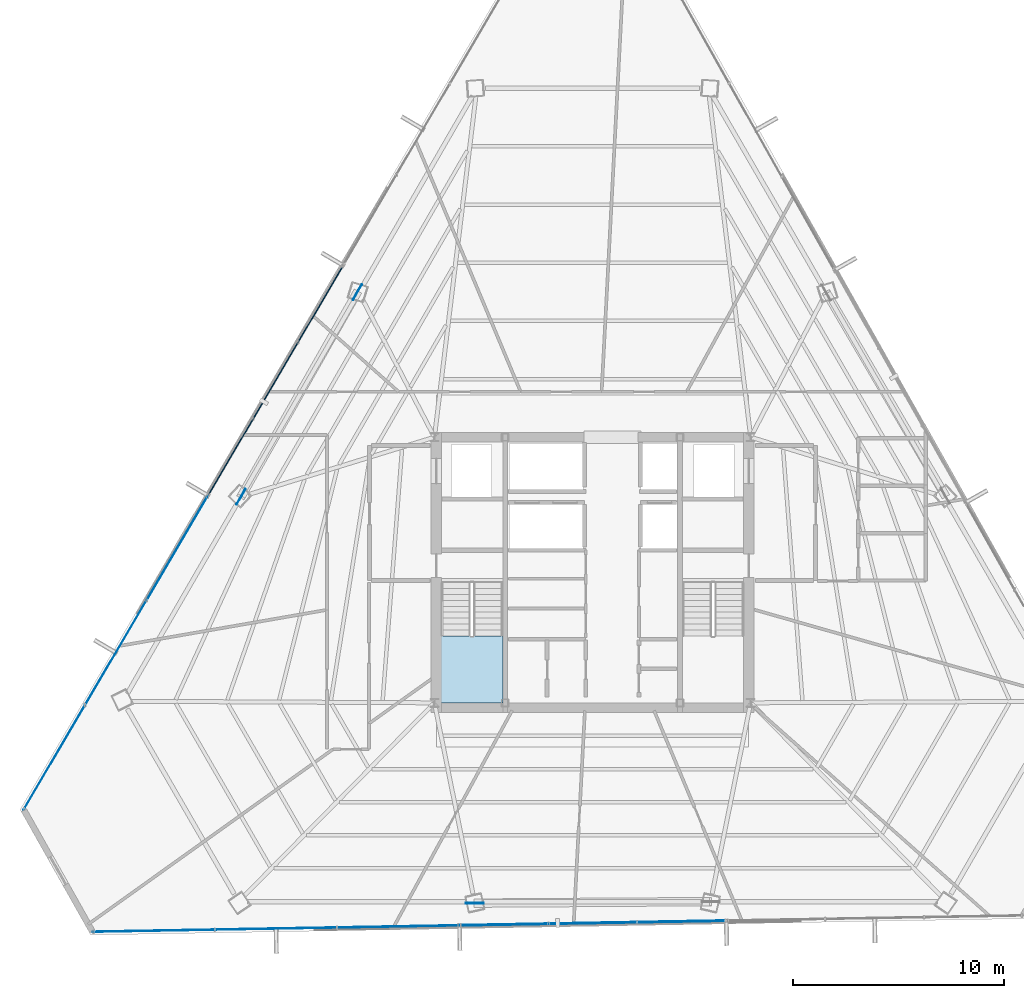
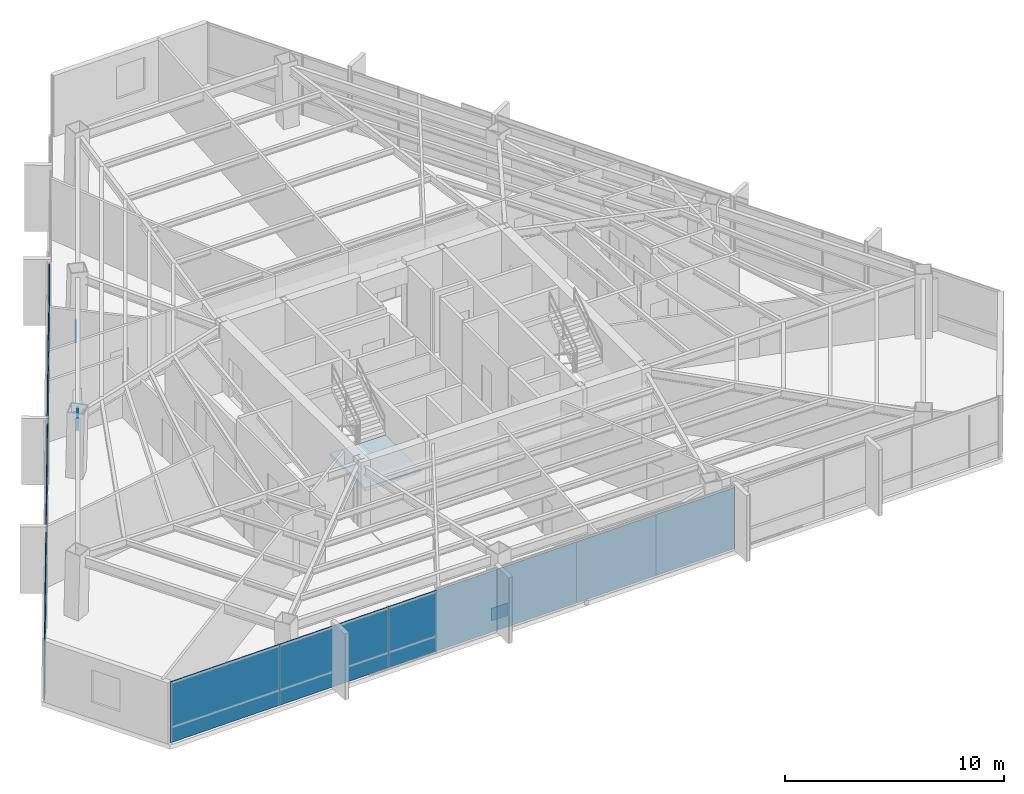
# One storey, part 33 of 42: 15 plates, 1 slab, 5 elements without a shape of their own.
"""IFC4 building model written with IfcOpenShell, lengths in metres."""

from ifc_helpers import new_model, si_unit, direction, frame, origin, origin_2d, place, context, subcontext, project, spatial, polyline, rectangle, outline, extrude, source, transform, mapped, material, layer, layer_set, type_object, type_shapes, element, aggregate, save


model = new_model("IFC4")

# Units and contexts
model_context = context("Model", 3, precision=1e-05, world=origin(), true_north=direction((0.0, 1.0)))
body_context = subcontext(model_context, "Body", "Model", "MODEL_VIEW")
ifc_project = project(units=[si_unit("LENGTHUNIT", "METRE"), si_unit("AREAUNIT", "SQUARE_METRE"), si_unit("VOLUMEUNIT", "CUBIC_METRE"), si_unit("PLANEANGLEUNIT", "RADIAN"), si_unit("MASSUNIT", "GRAM", prefix="KILO")], contexts=[model_context])

# Site, building, storey
site_placement = place(None, origin())
site = spatial("IfcSite", under=ifc_project, at=site_placement, CompositionType="ELEMENT")
building_placement = place(site_placement, origin())
building = spatial("IfcBuilding", under=site, at=building_placement, Name="Caelisora Broadcast Tower", CompositionType="ELEMENT")
storey_placement = place(building_placement, frame((0.0, 0.0, 184.050048828125)))
storey = spatial("IfcBuildingStorey", under=building, at=storey_placement, Name="L48", CompositionType="ELEMENT", Elevation=184.050048828125)

# Stair, slab
ifc_material_1 = material(Name="Concrete 40 MPa (AS 3600 N40)", Category="concrete")
stair_type = type_object("IfcStairType", Name="ST-1", PredefinedType="HALF_TURN_STAIR", material=ifc_material_1)
stair_placement = place(storey_placement, origin())
stair = element("IfcStair", 1, at=stair_placement, inside=storey, type_object=stair_type, Name="L48 West Fire-Isolated Tower Stair", PredefinedType="HALF_TURN_STAIR")
ifc_layer_1 = layer(ifc_material_1, 0.199951171875, Name="Concrete 40 MPa (AS 3600 N40)")
ifc_layer_set_1 = layer_set([ifc_layer_1], Name="Concrete 40 MPa (AS 3600 N40)")
slab_type = type_object("IfcSlabType", Name="STL-1", PredefinedType="LANDING", material=ifc_layer_set_1)
slab_placement = place(storey_placement, frame((0.0, 0.0, 1.625)))
slab = element("IfcSlab", 2, at=slab_placement, type_object=slab_type, Name="ST-1 landing 1", PredefinedType="LANDING", context=body_context, shape_type="SweptSolid", body=[
    extrude(outline(polyline([(30.820068359375, 20.580078125), (30.820068359375, 17.39990234375), (33.739990234375, 17.39990234375), (33.739990234375, 20.580078125), (30.820068359375, 20.580078125)])), origin(), (0.0, 0.0, 1.0), 0.199951171875),
])
aggregate(stair, [slab])

# Plates
ifc_material_2 = material(Name="Steel Grade 350 L15 (AS/NZS 3678)", Category="steel")
ifc_layer_2 = layer(ifc_material_2, 0.0400390625, Name="Steel Grade 350 L15 (AS/NZS 3678)")
ifc_layer_set_2 = layer_set([ifc_layer_2], Name="Steel Grade 350 L15 (AS/NZS 3678)")
plate_type_1 = type_object("IfcPlateType", Name="GP04", PredefinedType="USERDEFINED", material=ifc_layer_set_2)
shared_shape_1 = source(origin(), body_context, "Body", "SweptSolid", [
    extrude(rectangle(XDim=0.85009765625, YDim=0.0400390625, at=origin_2d()), origin(), (0.0, 0.0, 1.0), 0.699951171875),
])
type_shapes(plate_type_1, [shared_shape_1])
for number, where, z_axis, x_axis, name in (
    (3, (26.845947265625, 36.8828125, -0.22998046875), (0.0, 0.0, 1.0), (-0.5, -0.866025403784, 0.0), "L48 gusset plate GP04 (ND-L48-C02B)"),
    (4, (21.320556640625, 27.16796875, 2.72998046875), (0.0, 0.0, 1.0), (-0.5, -0.866025403784, 0.0), "L48 gusset plate GP04 (ND-L48-C03T)"),
    (5, (32.420166015625, 7.89892578125, -0.22998046875), (0.0, 0.0, 1.0), (1.0, 0.0, 0.0), "L48 gusset plate GP04 (ND-L48-C06B)"),
):
    element("IfcPlate", number, at=place(storey_placement, frame(where, z_axis=z_axis, x_axis=x_axis)), inside=storey, type_object=plate_type_1, Name=name, ObjectType="GUSSET PLATE", PredefinedType="USERDEFINED", context=body_context, shape_type="MappedRepresentation", body=[
        mapped(shared_shape_1, transform((0.0, 0.0, 0.0), scale=1.0)),
    ])

# Curtain wall, plates
ifc_material_3 = material(Name="Unitised Aluminium Insulated Shadow-Box Spandrel Curtain Wall", Category="aluminium")
curtain_wall_type_1 = type_object("IfcCurtainWallType", Name="CW-SP2", PredefinedType="NOTDEFINED", material=ifc_material_3)
curtain_wall_1_placement = place(storey_placement, origin())
curtain_wall_1 = element("IfcCurtainWall", 6, at=curtain_wall_1_placement, inside=storey, type_object=curtain_wall_type_1, Name="L48 curtain wall CW-SP2", PredefinedType="NOTDEFINED")
ifc_material_4 = material(Name="Insulated Terracotta Shadow-Box Spandrel Panel", Category="aluminium")
ifc_layer_3 = layer(ifc_material_4, 0.0439453125, Name="Insulated Terracotta Shadow-Box Spandrel Panel")
ifc_layer_set_3 = layer_set([ifc_layer_3], Name="Insulated Terracotta Shadow-Box Spandrel Panel")
plate_type_2 = type_object("IfcPlateType", Name="CWP-10", PredefinedType="CURTAIN_PANEL", material=ifc_layer_set_3)
shared_shape_2 = source(origin(), body_context, "Body", "SweptSolid", [
    extrude(rectangle(XDim=4.21630859375, YDim=0.0439453125, at=origin_2d()), origin(), (0.0, 0.0, 1.0), 3.39990234375),
])
plate_1_placement = place(storey_placement, frame((20.8330078125, 29.05322265625, 0.0), z_axis=(0.0, 0.0, 1.0), x_axis=(0.506334807353, 0.862336977557, 0.0)))
plate_1 = element("IfcPlate", 7, at=plate_1_placement, type_object=plate_type_2, Name="L48-CW-B10 spandrel panel #1", PredefinedType="CURTAIN_PANEL", context=body_context, shape_type="MappedRepresentation", body=[
    mapped(shared_shape_2, transform((0.0, 0.0, 0.0), scale=1.0)),
])
plate_2_placement = place(storey_placement, frame((22.968017578125, 32.689453125, 0.0), z_axis=(0.0, 0.0, 1.0), x_axis=(0.506334807353, 0.862336977557, 0.0)))
plate_2 = element("IfcPlate", 8, at=plate_2_placement, type_object=plate_type_2, Name="L48-CW-B10 spandrel panel #2", PredefinedType="CURTAIN_PANEL", context=body_context, shape_type="MappedRepresentation", body=[
    mapped(shared_shape_2, transform((0.0, 0.0, 0.0), scale=1.0)),
])
plate_3_placement = place(storey_placement, frame((25.102783203125, 36.325439453125, 0.0), z_axis=(0.0, 0.0, 1.0), x_axis=(0.506334807353, 0.862336977557, 0.0)))
plate_3 = element("IfcPlate", 9, at=plate_3_placement, type_object=plate_type_2, Name="L48-CW-B10 spandrel panel #3", PredefinedType="CURTAIN_PANEL", context=body_context, shape_type="MappedRepresentation", body=[
    mapped(shared_shape_2, transform((0.0, 0.0, 0.0), scale=1.0)),
])
aggregate(curtain_wall_1, [plate_1, plate_2, plate_3])

curtain_wall_2_placement = place(storey_placement, origin())
curtain_wall_2 = element("IfcCurtainWall", 10, at=curtain_wall_2_placement, inside=storey, type_object=curtain_wall_type_1, Name="L48 curtain wall CW-SP2", PredefinedType="NOTDEFINED")
shared_shape_3 = source(origin(), body_context, "Body", "SweptSolid", [
    extrude(rectangle(XDim=4.216064453125, YDim=0.0439453125, at=origin_2d()), origin(), (0.0, 0.0, 1.0), 3.39990234375),
])
type_shapes(plate_type_2, [shared_shape_2, shared_shape_3])
plate_4_placement = place(storey_placement, frame((42.23193359375, 7.026123046875, 0.0), z_axis=(0.0, 0.0, 1.0), x_axis=(-0.999847695156, -0.017452406437, 0.0)))
plate_4 = element("IfcPlate", 11, at=plate_4_placement, type_object=plate_type_2, Name="L48-CW-B06 spandrel panel #1", PredefinedType="CURTAIN_PANEL", context=body_context, shape_type="MappedRepresentation", body=[
    mapped(shared_shape_3, transform((0.0, 0.0, 0.0), scale=1.0)),
])
plate_5_placement = place(storey_placement, frame((38.0166015625, 6.952392578125, 0.0), z_axis=(0.0, 0.0, 1.0), x_axis=(-0.999847695156, -0.017452406437, 0.0)))
plate_5 = element("IfcPlate", 12, at=plate_5_placement, type_object=plate_type_2, Name="L48-CW-B06 spandrel panel #2", PredefinedType="CURTAIN_PANEL", context=body_context, shape_type="MappedRepresentation", body=[
    mapped(shared_shape_3, transform((0.0, 0.0, 0.0), scale=1.0)),
])
plate_6_placement = place(storey_placement, frame((33.80126953125, 6.87841796875, 0.0), z_axis=(0.0, 0.0, 1.0), x_axis=(-0.999847695156, -0.017452406437, 0.0)))
plate_6 = element("IfcPlate", 13, at=plate_6_placement, type_object=plate_type_2, Name="L48-CW-B06 spandrel panel #3", PredefinedType="CURTAIN_PANEL", context=body_context, shape_type="MappedRepresentation", body=[
    mapped(shared_shape_3, transform((0.0, 0.0, 0.0), scale=1.0)),
])
aggregate(curtain_wall_2, [plate_4, plate_5, plate_6])

ifc_material_5 = material(Name="Unitised Aluminium and Low-E Glass Curtain Wall", Category="glass")
curtain_wall_type_2 = type_object("IfcCurtainWallType", Name="CW-Z4", PredefinedType="NOTDEFINED", material=ifc_material_5)
curtain_wall_3_placement = place(storey_placement, origin())
curtain_wall_3 = element("IfcCurtainWall", 14, at=curtain_wall_3_placement, inside=storey, type_object=curtain_wall_type_2, Name="L48 curtain wall CW-Z4", PredefinedType="NOTDEFINED")
ifc_material_6 = material(Name="Double Glazed Low-E Argon IGU", Category="glass")
ifc_layer_4 = layer(ifc_material_6, 0.030029296875, Name="Double Glazed Low-E Argon IGU")
ifc_layer_set_4 = layer_set([ifc_layer_4], Name="Double Glazed Low-E Argon IGU")
plate_type_3 = type_object("IfcPlateType", Name="CWP-05", PredefinedType="CURTAIN_PANEL", material=ifc_layer_set_4)
shared_shape_4 = source(origin(), body_context, "Body", "SweptSolid", [
    extrude(rectangle(XDim=5.801025390625, YDim=0.030029296875, at=origin_2d()), origin(), (0.0, 0.0, 1.0), 3.39990234375),
])
plate_7_placement = place(storey_placement, frame((28.783447265625, 6.790283203125, 0.0), z_axis=(0.0, 0.0, 1.0), x_axis=(-0.999847695156, -0.017452406437, 0.0)))
plate_7 = element("IfcPlate", 15, at=plate_7_placement, type_object=plate_type_3, Name="L48-CW-B07 glazed panel #1", PredefinedType="CURTAIN_PANEL", context=body_context, shape_type="MappedRepresentation", body=[
    mapped(shared_shape_4, transform((0.0, 0.0, 0.0), scale=1.0)),
])
plate_8_placement = place(storey_placement, frame((22.9833984375, 6.688720703125, 0.0), z_axis=(0.0, 0.0, 1.0), x_axis=(-0.999847695156, -0.017452406437, 0.0)))
plate_8 = element("IfcPlate", 16, at=plate_8_placement, type_object=plate_type_3, Name="L48-CW-B07 glazed panel #2", PredefinedType="CURTAIN_PANEL", context=body_context, shape_type="MappedRepresentation", body=[
    mapped(shared_shape_4, transform((0.0, 0.0, 0.0), scale=1.0)),
])
plate_9_placement = place(storey_placement, frame((17.18310546875, 6.5869140625, 0.0), z_axis=(0.0, 0.0, 1.0), x_axis=(-0.999847695156, -0.017452406437, 0.0)))
plate_9 = element("IfcPlate", 17, at=plate_9_placement, type_object=plate_type_3, Name="L48-CW-B07 glazed panel #3", PredefinedType="CURTAIN_PANEL", context=body_context, shape_type="MappedRepresentation", body=[
    mapped(shared_shape_4, transform((0.0, 0.0, 0.0), scale=1.0)),
])
aggregate(curtain_wall_3, [plate_7, plate_8, plate_9])

curtain_wall_4_placement = place(storey_placement, origin())
curtain_wall_4 = element("IfcCurtainWall", 18, at=curtain_wall_4_placement, inside=storey, type_object=curtain_wall_type_2, Name="L48 curtain wall CW-Z4", PredefinedType="NOTDEFINED")
shared_shape_5 = source(origin(), body_context, "Body", "SweptSolid", [
    extrude(rectangle(XDim=5.7578125, YDim=0.030029296875, at=origin_2d()), origin(), (0.0, 0.0, 1.0), 3.39990234375),
])
type_shapes(plate_type_3, [shared_shape_4, shared_shape_5])
plate_10_placement = place(storey_placement, frame((12.47265625, 14.813720703125, 0.0), z_axis=(0.0, 0.0, 1.0), x_axis=(0.506334807353, 0.862336977557, 0.0)))
plate_10 = element("IfcPlate", 19, at=plate_10_placement, type_object=plate_type_3, Name="L48-CW-B09 glazed panel #1", PredefinedType="CURTAIN_PANEL", context=body_context, shape_type="MappedRepresentation", body=[
    mapped(shared_shape_5, transform((0.0, 0.0, 0.0), scale=1.0)),
])
plate_11_placement = place(storey_placement, frame((15.3876953125, 19.77880859375, 0.0), z_axis=(0.0, 0.0, 1.0), x_axis=(0.506334807353, 0.862336977557, 0.0)))
plate_11 = element("IfcPlate", 20, at=plate_11_placement, type_object=plate_type_3, Name="L48-CW-B09 glazed panel #2", PredefinedType="CURTAIN_PANEL", context=body_context, shape_type="MappedRepresentation", body=[
    mapped(shared_shape_5, transform((0.0, 0.0, 0.0), scale=1.0)),
])
plate_12_placement = place(storey_placement, frame((18.302978515625, 24.744140625, 0.0), z_axis=(0.0, 0.0, 1.0), x_axis=(0.506334807353, 0.862336977557, 0.0)))
plate_12 = element("IfcPlate", 21, at=plate_12_placement, type_object=plate_type_3, Name="L48-CW-B09 glazed panel #3", PredefinedType="CURTAIN_PANEL", context=body_context, shape_type="MappedRepresentation", body=[
    mapped(shared_shape_5, transform((0.0, 0.0, 0.0), scale=1.0)),
])
aggregate(curtain_wall_4, [plate_10, plate_11, plate_12])

save(model, "model.ifc")
